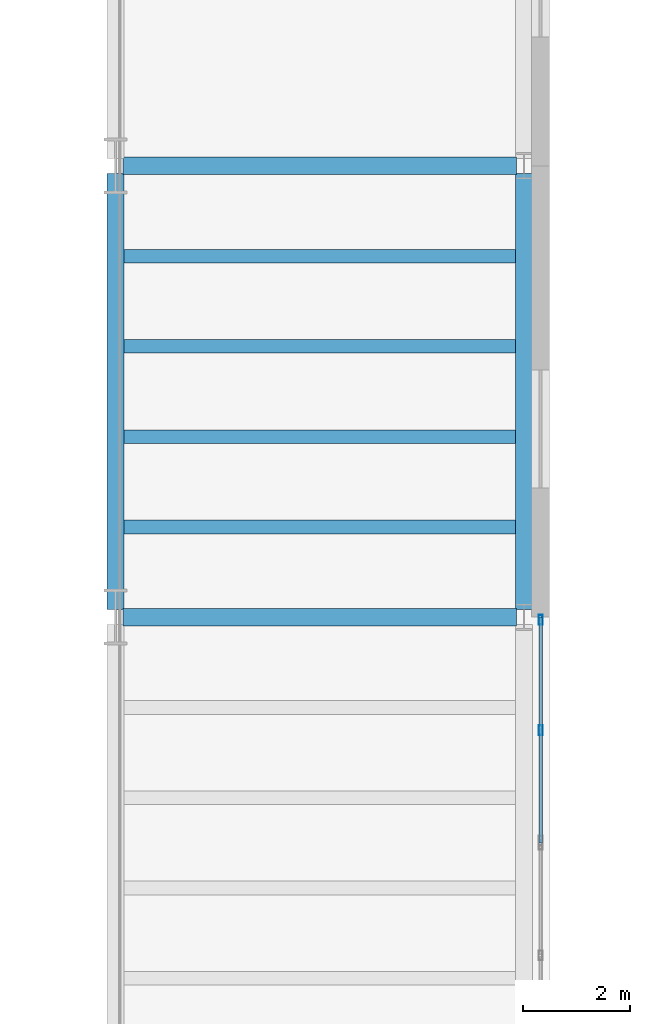
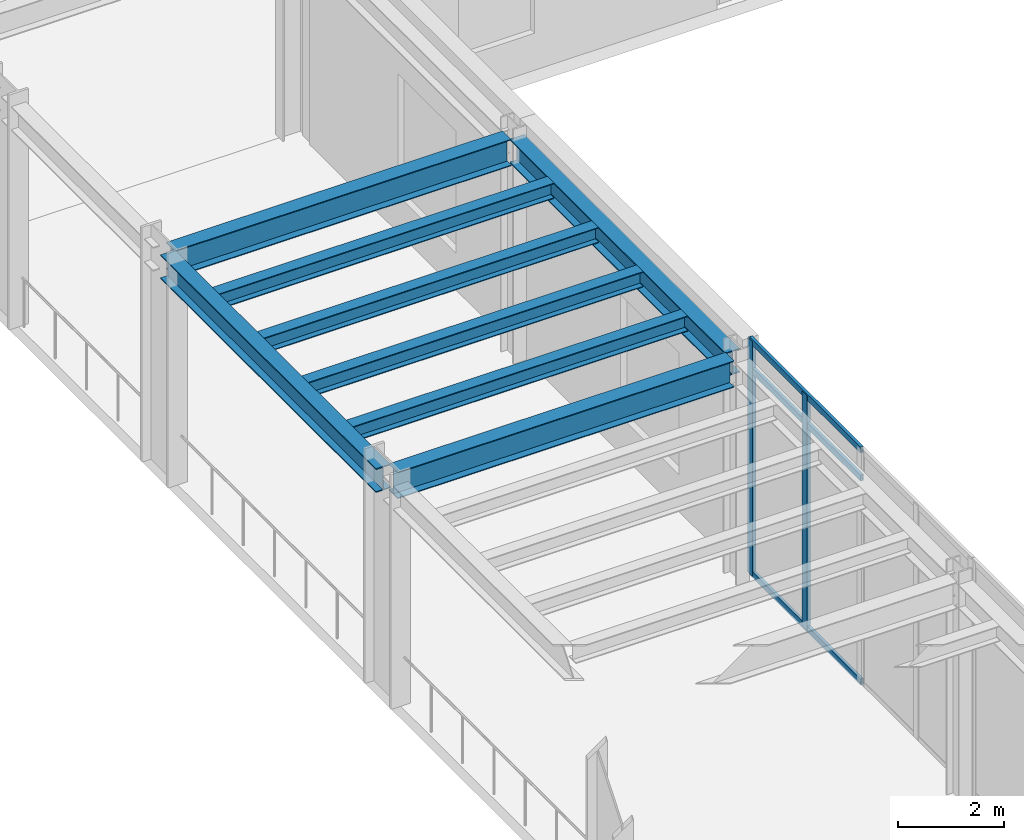
# One storey, part 27 of 98: 8 beams, 5 members, 1 element without a shape of its own.
"""IFC4 building model written with IfcOpenShell, lengths in metres."""

from ifc_helpers import new_model, si_unit, direction, frame, origin, origin_2d, place, context, subcontext, project, spatial, hollow_rectangle, i_section, extrude, material, layer, layer_set, material_profile, profile_set, type_object, element, aggregate, save


model = new_model("IFC4")

# Units and contexts
model_context = context("Model", 3, precision=1e-05, world=origin(), true_north=direction((0.0, 1.0)))
body_context = subcontext(model_context, "Body", "Model", "MODEL_VIEW")
ifc_project = project(units=[si_unit("LENGTHUNIT", "METRE"), si_unit("AREAUNIT", "SQUARE_METRE"), si_unit("VOLUMEUNIT", "CUBIC_METRE"), si_unit("PLANEANGLEUNIT", "RADIAN"), si_unit("MASSUNIT", "GRAM", prefix="KILO")], contexts=[model_context])

# Site, building, storey
site_placement = place(None, origin())
site = spatial("IfcSite", under=ifc_project, at=site_placement, CompositionType="ELEMENT")
building_placement = place(site_placement, origin())
building = spatial("IfcBuilding", under=site, at=building_placement, Name="Sollismere Congress Hotel", CompositionType="ELEMENT")
storey_placement = place(building_placement, frame((0.0, 0.0, 5.39990234375)))
storey = spatial("IfcBuildingStorey", under=building, at=storey_placement, Name="L01", CompositionType="ELEMENT", Elevation=5.39990234375)

# Beams
ifc_material_1 = material(Name="Steel ASTM A992 Grade 50", Category="steel")
ifc_material_profile_1 = material_profile(ifc_material_1, i_section(OverallWidth=0.31494140625, OverallDepth=0.551025390625, WebThickness=0.01513671875, FlangeThickness=0.0244140625, at=origin_2d()), Name="W21X122")
ifc_profile_set_1 = profile_set([ifc_material_profile_1], Name="Steel ASTM A992 Grade 50")
beam_type_1 = type_object("IfcBeamType", Name="BM-G21H", PredefinedType="BEAM", material=ifc_profile_set_1)
for number, where, z_axis, x_axis, name in (
    (1, (50.39990234375, 50.139892578125, 4.844482421875), (0.0, 1.0, 0.0), (-1.0, 0.0, 0.0), "Beam BM-L01-1643"),
    (2, (58.0, 50.139892578125, 4.844482421875), (0.0, 1.0, 0.0), (-1.0, 0.0, 0.0), "Beam BM-L01-1650"),
):
    element("IfcBeam", number, at=place(storey_placement, frame(where, z_axis=z_axis, x_axis=x_axis)), inside=storey, type_object=beam_type_1, Name=name, PredefinedType="BEAM", context=body_context, shape_type="SweptSolid", body=[
        extrude(i_section(OverallWidth=0.31494140625, OverallDepth=0.551025390625, WebThickness=0.01513671875, FlangeThickness=0.0244140625, at=origin_2d()), origin(), (0.0, 0.0, 1.0), 8.1201171875),
    ])
ifc_material_profile_2 = material_profile(ifc_material_1, i_section(OverallWidth=0.324951171875, OverallDepth=0.612060546875, WebThickness=0.0126953125, FlangeThickness=0.01904296875, at=origin_2d()), Name="W24X104")
ifc_profile_set_2 = profile_set([ifc_material_profile_2], Name="Steel ASTM A992 Grade 50")
beam_type_2 = type_object("IfcBeamType", Name="BM-G24", PredefinedType="BEAM", material=ifc_profile_set_2)
for number, where, z_axis, x_axis, name in (
    (3, (50.5400390625, 50.0, 4.814208984375), (1.0, 0.0, 0.0), (0.0, 1.0, 0.0), "Beam BM-L01-1578"),
    (4, (50.5400390625, 58.39990234375, 4.814208984375), (1.0, 0.0, 0.0), (0.0, 1.0, 0.0), "Beam BM-L01-1581"),
):
    element("IfcBeam", number, at=place(storey_placement, frame(where, z_axis=z_axis, x_axis=x_axis)), inside=storey, type_object=beam_type_2, Name=name, PredefinedType="BEAM", context=body_context, shape_type="SweptSolid", body=[
        extrude(i_section(OverallWidth=0.324951171875, OverallDepth=0.612060546875, WebThickness=0.0126953125, FlangeThickness=0.01904296875, at=origin_2d()), origin(), (0.0, 0.0, 1.0), 7.320068359375),
    ])
ifc_material_profile_3 = material_profile(ifc_material_1, i_section(OverallWidth=0.25390625, OverallDepth=0.35595703125, WebThickness=0.010498046875, FlangeThickness=0.018310546875, at=origin_2d()), Name="W14X68")
ifc_profile_set_3 = profile_set([ifc_material_profile_3], Name="Steel ASTM A992 Grade 50")
beam_type_3 = type_object("IfcBeamType", Name="BM-J14", PredefinedType="JOIST", material=ifc_profile_set_3)
for number, where, z_axis, x_axis, name in (
    (5, (50.5576171875, 51.679931640625, 4.942138671875), (1.0, 0.0, 0.0), (0.0, 1.0, 0.0), "Beam BM-L01-1767"),
    (6, (50.5576171875, 53.360107421875, 4.942138671875), (1.0, 0.0, 0.0), (0.0, 1.0, 0.0), "Beam BM-L01-1768"),
    (7, (50.5576171875, 55.0400390625, 4.942138671875), (1.0, 0.0, 0.0), (0.0, 1.0, 0.0), "Beam BM-L01-1769"),
    (8, (50.5576171875, 56.719970703125, 4.942138671875), (1.0, 0.0, 0.0), (0.0, 1.0, 0.0), "Beam BM-L01-1770"),
):
    element("IfcBeam", number, at=place(storey_placement, frame(where, z_axis=z_axis, x_axis=x_axis)), inside=storey, type_object=beam_type_3, Name=name, PredefinedType="JOIST", context=body_context, shape_type="SweptSolid", body=[
        extrude(i_section(OverallWidth=0.25390625, OverallDepth=0.35595703125, WebThickness=0.010498046875, FlangeThickness=0.018310546875, at=origin_2d()), origin(), (0.0, 0.0, 1.0), 7.284912109375),
    ])

# Curtain wall, members
ifc_material_2 = material(Name="Anodized Bronze Curtain Wall & Low-E Triple Glazing", Category="glass")
ifc_layer = layer(ifc_material_2, 0.199951171875, Name="Anodized Bronze Curtain Wall & Low-E Triple Glazing")
ifc_layer_set = layer_set([ifc_layer], Name="Anodized Bronze Curtain Wall & Low-E Triple Glazing")
curtain_wall_type = type_object("IfcCurtainWallType", Name="CW-GLZ36", PredefinedType="USERDEFINED", material=ifc_layer_set)
curtain_wall_placement = place(storey_placement, origin())
curtain_wall = element("IfcCurtainWall", 9, at=curtain_wall_placement, inside=storey, type_object=curtain_wall_type, Name="Unitised curtain wall CW-L01-134", ObjectType="UNITISED CURTAIN WALL", PredefinedType="USERDEFINED")
ifc_material_3 = material(Name="Anodized Aluminum 6063-T6", Category="aluminium")
ifc_material_profile_4 = material_profile(ifc_material_3, hollow_rectangle(XDim=0.074951171875, YDim=0.179931640625, WallThickness=0.0048828125, at=origin_2d()), Name="ALU180X75X5")
ifc_profile_set_4 = profile_set([ifc_material_profile_4], Name="Anodized Aluminum 6063-T6")
member_type_1 = type_object("IfcMemberType", Name="ML-CW180", PredefinedType="MULLION", material=ifc_profile_set_4)
member_1_placement = place(storey_placement, frame((58.31005859375, 47.89501953125, 0.0), z_axis=(0.0, 0.0, 1.0), x_axis=(-1.0, 0.0, 0.0)))
member_1 = element("IfcMember", 10, at=member_1_placement, type_object=member_type_1, Name="CWL-CW-L01-134-ML02", PredefinedType="MULLION", context=body_context, shape_type="SweptSolid", body=[
    extrude(hollow_rectangle(XDim=0.074951171875, YDim=0.179931640625, WallThickness=0.0048828125, at=origin_2d()), origin(), (0.0, 0.0, 1.0), 5.400146484375),
])
member_2_placement = place(storey_placement, frame((58.31005859375, 49.951904296875, 0.0), z_axis=(0.0, 0.0, 1.0), x_axis=(-1.0, 0.0, 0.0)))
member_2 = element("IfcMember", 11, at=member_2_placement, type_object=member_type_1, Name="CWL-CW-L01-134-ML03", PredefinedType="MULLION", context=body_context, shape_type="SweptSolid", body=[
    extrude(hollow_rectangle(XDim=0.074951171875, YDim=0.179931640625, WallThickness=0.0048828125, at=origin_2d()), origin(), (0.0, 0.0, 1.0), 5.400146484375),
])
ifc_material_profile_5 = material_profile(ifc_material_3, hollow_rectangle(XDim=0.06494140625, YDim=0.139892578125, WallThickness=0.00390625, at=origin_2d()), Name="ALU140X65X4")
ifc_profile_set_5 = profile_set([ifc_material_profile_5], Name="Anodized Aluminum 6063-T6")
member_type_2 = type_object("IfcMemberType", Name="TR-CW150", PredefinedType="MEMBER", material=ifc_profile_set_5)
member_3_placement = place(storey_placement, frame((58.31005859375, 45.800048828125, 0.03271484375), z_axis=(0.0, 1.0, 0.0), x_axis=(-1.0, 0.0, 0.0)))
member_3 = element("IfcMember", 12, at=member_3_placement, type_object=member_type_2, Name="CWL-CW-L01-134-TR1", PredefinedType="MEMBER", context=body_context, shape_type="SweptSolid", body=[
    extrude(hollow_rectangle(XDim=0.06494140625, YDim=0.139892578125, WallThickness=0.00390625, at=origin_2d()), origin(), (0.0, 0.0, 1.0), 4.18994140625),
])
member_4_placement = place(storey_placement, frame((58.31005859375, 45.800048828125, 4.72021484375), z_axis=(0.0, 1.0, 0.0), x_axis=(-1.0, 0.0, 0.0)))
member_4 = element("IfcMember", 13, at=member_4_placement, type_object=member_type_2, Name="CWL-CW-L01-134-TR2", PredefinedType="MEMBER", context=body_context, shape_type="SweptSolid", body=[
    extrude(hollow_rectangle(XDim=0.06494140625, YDim=0.139892578125, WallThickness=0.00390625, at=origin_2d()), origin(), (0.0, 0.0, 1.0), 4.18994140625),
])
member_5_placement = place(storey_placement, frame((58.31005859375, 45.800048828125, 5.36767578125), z_axis=(0.0, 1.0, 0.0), x_axis=(-1.0, 0.0, 0.0)))
member_5 = element("IfcMember", 14, at=member_5_placement, type_object=member_type_2, Name="CWL-CW-L01-134-TR3", PredefinedType="MEMBER", context=body_context, shape_type="SweptSolid", body=[
    extrude(hollow_rectangle(XDim=0.06494140625, YDim=0.139892578125, WallThickness=0.00390625, at=origin_2d()), origin(), (0.0, 0.0, 1.0), 4.18994140625),
])
aggregate(curtain_wall, [member_1, member_2, member_3, member_4, member_5])

save(model, "model.ifc")
